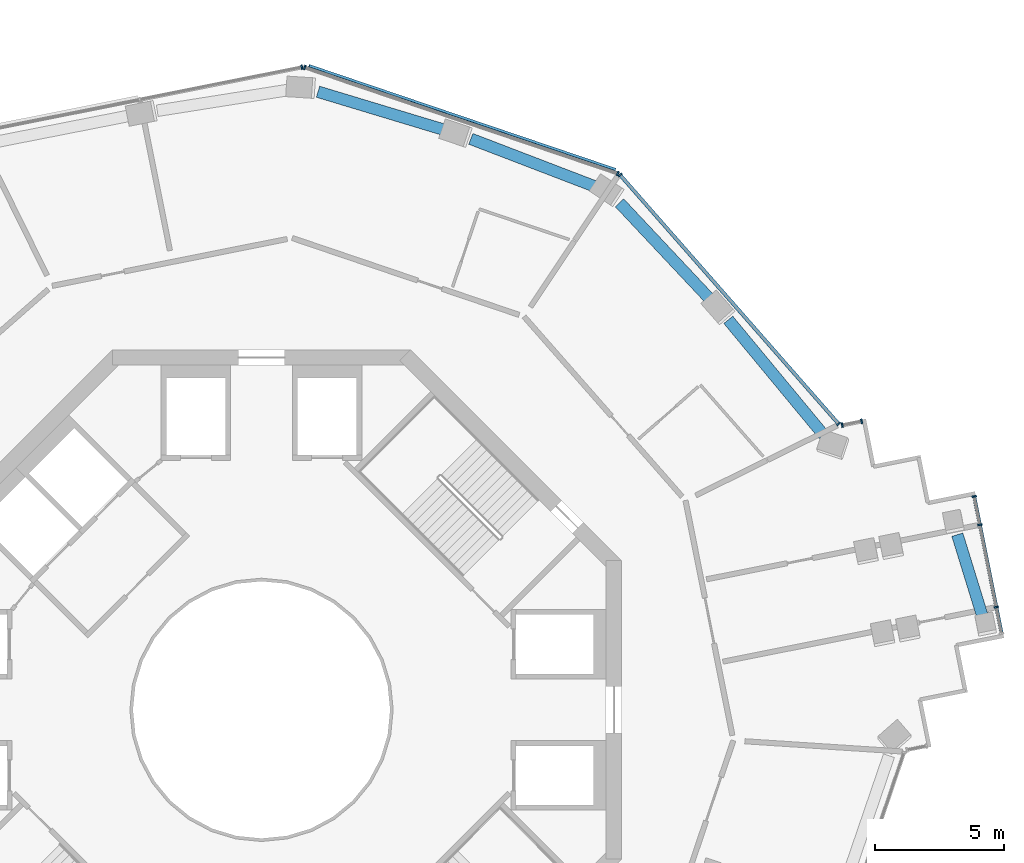
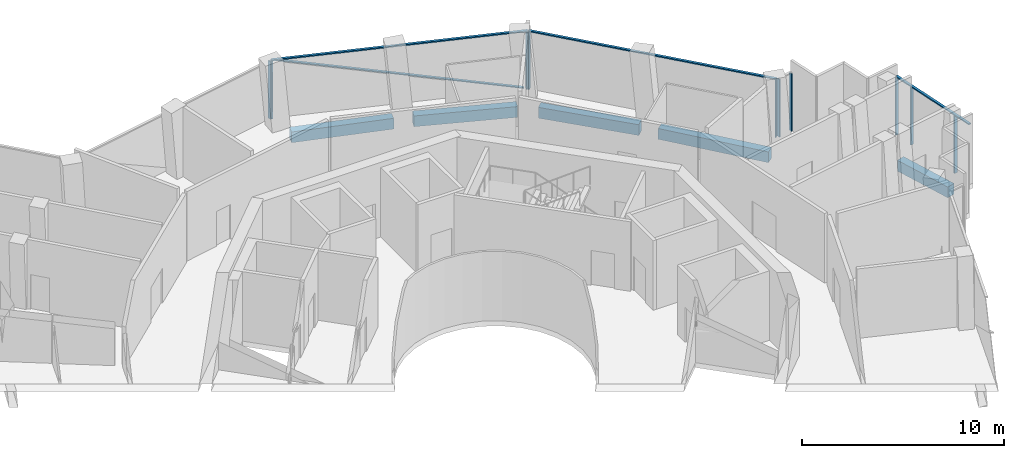
# One storey, part 6 of 17: 14 members, 5 beams, 5 elements without a shape of their own.
"""IFC4 building model written with IfcOpenShell, lengths in metres."""

from ifc_helpers import new_model, si_unit, direction, frame, origin, origin_2d, place, context, subcontext, project, spatial, rectangle, extrude, material, layer, layer_set, material_profile, profile_set, type_object, element, aggregate, save


model = new_model("IFC4")

# Units and contexts
model_context = context("Model", 3, precision=1e-05, world=origin(), true_north=direction((0.0, 1.0)))
body_context = subcontext(model_context, "Body", "Model", "MODEL_VIEW")
ifc_project = project(units=[si_unit("LENGTHUNIT", "METRE"), si_unit("AREAUNIT", "SQUARE_METRE"), si_unit("VOLUMEUNIT", "CUBIC_METRE"), si_unit("PLANEANGLEUNIT", "RADIAN"), si_unit("MASSUNIT", "GRAM", prefix="KILO")], contexts=[model_context])

# Site, building, storey
site_placement = place(None, origin())
site = spatial("IfcSite", under=ifc_project, at=site_placement, CompositionType="ELEMENT")
building_placement = place(site_placement, origin())
building = spatial("IfcBuilding", under=site, at=building_placement, Name="Verdalira Terraces Hotel", CompositionType="ELEMENT")
storey_placement = place(building_placement, frame((0.0, 0.0, 201.0)))
storey = spatial("IfcBuildingStorey", under=building, at=storey_placement, Name="L49", CompositionType="ELEMENT", Elevation=201.0)

# Curtain wall, members
ifc_material_1 = material(Name="Clear glass", Category="glass")
ifc_layer = layer(ifc_material_1, 0.179931640625)
ifc_layer_set = layer_set([ifc_layer], Name="CW4 curtain wall")
curtain_wall_type = type_object("IfcCurtainWallType", Name="CW4 curtain wall", PredefinedType="NOTDEFINED", material=ifc_layer_set)
curtain_wall_1_placement = place(storey_placement, origin())
curtain_wall_1 = element("IfcCurtainWall", 1, at=curtain_wall_1_placement, inside=storey, type_object=curtain_wall_type, Name="CW4 curtain wall L49 edge 33", PredefinedType="NOTDEFINED")
ifc_material_2 = material(Name="Terracotta frame", Category="masonry")
ifc_material_profile_1 = material_profile(ifc_material_2, rectangle(XDim=0.064941, YDim=0.179932, at=origin_2d()), Name="MU 65x180")
ifc_profile_set_1 = profile_set([ifc_material_profile_1], Name="Terracotta frame")
member_type_1 = type_object("IfcMemberType", Name="CW4 mullion 65x180", PredefinedType="MULLION", material=ifc_profile_set_1)
member_1_placement = place(storey_placement, frame((28.569092, 3.993896, 0.0), z_axis=(0.0, 0.0, 1.0), x_axis=(-0.195603833, 0.980682997, 0.0)))
member_1 = element("IfcMember", 2, at=member_1_placement, type_object=member_type_1, Name="CW4 mullion", PredefinedType="MULLION", context=body_context, shape_type="SweptSolid", body=[
    extrude(rectangle(XDim=0.064941, YDim=0.179932, at=origin_2d()), origin(), (0.0, 0.0, 1.0), 3.469971),
])
member_2_placement = place(storey_placement, frame((27.93042, 7.195312, 0.0), z_axis=(0.0, 0.0, 1.0), x_axis=(-0.195603833, 0.980682997, 0.0)))
member_2 = element("IfcMember", 3, at=member_2_placement, type_object=member_type_1, Name="CW4 mullion", PredefinedType="MULLION", context=body_context, shape_type="SweptSolid", body=[
    extrude(rectangle(XDim=0.064941, YDim=0.179932, at=origin_2d()), origin(), (0.0, 0.0, 1.0), 3.469971),
])
member_3_placement = place(storey_placement, frame((27.710449, 8.298096, 0.0), z_axis=(0.0, 0.0, 1.0), x_axis=(-0.195603833, 0.980682997, 0.0)))
member_3 = element("IfcMember", 4, at=member_3_placement, type_object=member_type_1, Name="CW4 mullion", PredefinedType="MULLION", context=body_context, shape_type="SweptSolid", body=[
    extrude(rectangle(XDim=0.064941, YDim=0.179932, at=origin_2d()), origin(), (0.0, 0.0, 1.0), 3.469971),
])

curtain_wall_2_placement = place(storey_placement, origin())
curtain_wall_2 = element("IfcCurtainWall", 5, at=curtain_wall_2_placement, inside=storey, type_object=curtain_wall_type, Name="CW4 curtain wall L49 edge 38", PredefinedType="NOTDEFINED")
member_4_placement = place(storey_placement, frame((23.331787, 11.220459, 0.0), z_axis=(0.0, 0.0, 1.0), x_axis=(-0.980682997, -0.195603833, 0.0)))
member_4 = element("IfcMember", 6, at=member_4_placement, type_object=member_type_1, Name="CW4 mullion", PredefinedType="MULLION", context=body_context, shape_type="SweptSolid", body=[
    extrude(rectangle(XDim=0.064941, YDim=0.179932, at=origin_2d()), origin(), (0.0, 0.0, 1.0), 3.469971),
])
member_5_placement = place(storey_placement, frame((22.578857, 11.070312, 0.0), z_axis=(0.0, 0.0, 1.0), x_axis=(-0.980682997, -0.195603833, 0.0)))
member_5 = element("IfcMember", 7, at=member_5_placement, type_object=member_type_1, Name="CW4 mullion", PredefinedType="MULLION", context=body_context, shape_type="SweptSolid", body=[
    extrude(rectangle(XDim=0.064941, YDim=0.179932, at=origin_2d()), origin(), (0.0, 0.0, 1.0), 3.469971),
])
aggregate(curtain_wall_2, [member_4, member_5])

curtain_wall_3_placement = place(storey_placement, origin())
curtain_wall_3 = element("IfcCurtainWall", 8, at=curtain_wall_3_placement, inside=storey, type_object=curtain_wall_type, Name="CW4 curtain wall L49 edge 39", PredefinedType="NOTDEFINED")
member_6_placement = place(storey_placement, frame((22.44043, 11.117432, 0.0), z_axis=(0.0, 0.0, 1.0), x_axis=(-0.659739387, 0.751494472, 0.0)))
member_6 = element("IfcMember", 9, at=member_6_placement, type_object=member_type_1, Name="CW4 mullion", PredefinedType="MULLION", context=body_context, shape_type="SweptSolid", body=[
    extrude(rectangle(XDim=0.064941, YDim=0.179932, at=origin_2d()), origin(), (0.0, 0.0, 1.0), 3.469971),
])
member_7_placement = place(storey_placement, frame((13.94458, 20.794678, 0.0), z_axis=(0.0, 0.0, 1.0), x_axis=(-0.659739387, 0.751494472, 0.0)))
member_7 = element("IfcMember", 10, at=member_7_placement, type_object=member_type_1, Name="CW4 mullion", PredefinedType="MULLION", context=body_context, shape_type="SweptSolid", body=[
    extrude(rectangle(XDim=0.064941, YDim=0.179932, at=origin_2d()), origin(), (0.0, 0.0, 1.0), 3.469971),
])

curtain_wall_4_placement = place(storey_placement, origin())
curtain_wall_4 = element("IfcCurtainWall", 11, at=curtain_wall_4_placement, inside=storey, type_object=curtain_wall_type, Name="CW4 curtain wall L49 edge 40", PredefinedType="NOTDEFINED")
member_8_placement = place(storey_placement, frame((13.853516, 20.855469, 0.0), z_axis=(0.0, 0.0, 1.0), x_axis=(-0.947098305, 0.32094361, 0.0)))
member_8 = element("IfcMember", 12, at=member_8_placement, type_object=member_type_1, Name="CW4 mullion", PredefinedType="MULLION", context=body_context, shape_type="SweptSolid", body=[
    extrude(rectangle(XDim=0.064941, YDim=0.179932, at=origin_2d()), origin(), (0.0, 0.0, 1.0), 3.469971),
])
member_9_placement = place(storey_placement, frame((1.678955, 24.980957, 0.0), z_axis=(0.0, 0.0, 1.0), x_axis=(-0.947098305, 0.32094361, 0.0)))
member_9 = element("IfcMember", 13, at=member_9_placement, type_object=member_type_1, Name="CW4 mullion", PredefinedType="MULLION", context=body_context, shape_type="SweptSolid", body=[
    extrude(rectangle(XDim=0.064941, YDim=0.179932, at=origin_2d()), origin(), (0.0, 0.0, 1.0), 3.469971),
])

# Curtain wall, member
curtain_wall_5_placement = place(storey_placement, origin())
curtain_wall_5 = element("IfcCurtainWall", 14, at=curtain_wall_5_placement, inside=storey, type_object=curtain_wall_type, Name="CW4 curtain wall L49 edge 41", PredefinedType="NOTDEFINED")
member_10_placement = place(storey_placement, frame((1.569824, 24.988037, 0.0), z_axis=(0.0, 0.0, 1.0), x_axis=(-0.980682997, -0.195603833, 0.0)))
member_10 = element("IfcMember", 15, at=member_10_placement, type_object=member_type_1, Name="CW4 mullion", PredefinedType="MULLION", context=body_context, shape_type="SweptSolid", body=[
    extrude(rectangle(XDim=0.064941, YDim=0.179932, at=origin_2d()), origin(), (0.0, 0.0, 1.0), 3.469971),
])
aggregate(curtain_wall_5, [member_10])

# Member
ifc_material_3 = material(Name="Terracotta frame", Category="masonry")
ifc_material_profile_2 = material_profile(ifc_material_3, rectangle(XDim=0.139893, YDim=0.070068, at=origin_2d()), Name="TR 70x140")
ifc_profile_set_2 = profile_set([ifc_material_profile_2], Name="Terracotta frame")
member_type_2 = type_object("IfcMemberType", Name="CW4 transom 70x140", PredefinedType="USERDEFINED", material=ifc_profile_set_2)
member_11_placement = place(storey_placement, frame((28.780029, 2.936279, 3.504883), z_axis=(-0.195629521, 0.980677873, 0.0), x_axis=(-0.980677873, -0.195629521, 0.0)))
member_11 = element("IfcMember", 16, at=member_11_placement, type_object=member_type_2, Name="CW4 transom", ObjectType="TRANSOM", PredefinedType="USERDEFINED", context=body_context, shape_type="SweptSolid", body=[
    extrude(rectangle(XDim=0.139893, YDim=0.070068, at=origin_2d()), origin(), (0.0, 0.0, 1.0), 5.499756),
])

aggregate(curtain_wall_1, [member_1, member_2, member_3, member_11])

member_12_placement = place(storey_placement, frame((22.46167, 11.092773, 3.504883), z_axis=(-0.659731026, 0.751501812, 0.0), x_axis=(-0.751501812, -0.659731026, 0.0)))
member_12 = element("IfcMember", 17, at=member_12_placement, type_object=member_type_2, Name="CW4 transom", ObjectType="TRANSOM", PredefinedType="USERDEFINED", context=body_context, shape_type="SweptSolid", body=[
    extrude(rectangle(XDim=0.139893, YDim=0.070068, at=origin_2d()), origin(), (0.0, 0.0, 1.0), 12.942627),
])

aggregate(curtain_wall_3, [member_6, member_7, member_12])

member_13_placement = place(storey_placement, frame((13.884277, 20.844971, 3.504883), z_axis=(-0.947097427, 0.320946202, 0.0), x_axis=(-0.320946202, -0.947097427, 0.0)))
member_13 = element("IfcMember", 18, at=member_13_placement, type_object=member_type_2, Name="CW4 transom", ObjectType="TRANSOM", PredefinedType="USERDEFINED", context=body_context, shape_type="SweptSolid", body=[
    extrude(rectangle(XDim=0.139893, YDim=0.070068, at=origin_2d()), origin(), (0.0, 0.0, 1.0), 12.919678),
])

ifc_material_4 = material(Name="Terracotta frame", Category="masonry")
ifc_material_profile_3 = material_profile(ifc_material_4, rectangle(XDim=0.149902, YDim=0.060059, at=origin_2d()), Name="GB 60x150")
ifc_profile_set_3 = profile_set([ifc_material_profile_3], Name="Terracotta frame")
member_type_3 = type_object("IfcMemberType", Name="Diagonal glazing bar 60x150", PredefinedType="USERDEFINED", material=ifc_profile_set_3)
member_14_placement = place(storey_placement, frame((13.749756, 20.98877, 0.029541), z_axis=(-0.914058288, 0.309740042, 0.261836881), x_axis=(-0.320936841, -0.947100599, 0.0)))
member_14 = element("IfcMember", 19, at=member_14_placement, type_object=member_type_3, Name="Diagonal glazing bar", ObjectType="GLAZING BAR", PredefinedType="USERDEFINED", context=body_context, shape_type="SweptSolid", body=[
    extrude(rectangle(XDim=0.149902, YDim=0.060059, at=origin_2d()), origin(), (0.0, 0.0, 1.0), 13.026855),
])

aggregate(curtain_wall_4, [member_8, member_9, member_13, member_14])

# Beams
ifc_material_5 = material(Name="Concrete C50", Category="concrete")
ifc_material_profile_4 = material_profile(ifc_material_5, rectangle(XDim=0.449951, YDim=0.649902, at=origin_2d()), Name="RC 450X650")
ifc_profile_set_4 = profile_set([ifc_material_profile_4], Name="Concrete C50")
beam_type = type_object("IfcBeamType", Name="Spandrel beam RC 450X650 C50", PredefinedType="SPANDREL", material=ifc_profile_set_4)
beam_1_placement = place(storey_placement, frame((28.056885, 3.558105, -0.63501), z_axis=(-0.29478617, 0.955563244, 0.0), x_axis=(-0.955563244, -0.29478617, 0.0)))
element("IfcBeam", 20, at=beam_1_placement, inside=storey, type_object=beam_type, Name="Spandrel beam B17", PredefinedType="SPANDREL", context=body_context, shape_type="SweptSolid", body=[
    extrude(rectangle(XDim=0.449951, YDim=0.649902, at=origin_2d()), origin(), (0.0, 0.0, 1.0), 3.404785),
])
beam_2_placement = place(storey_placement, frame((21.855469, 10.687012, -0.63501), z_axis=(-0.637727558, 0.770262009, 0.0), x_axis=(-0.770262009, -0.637727558, 0.0)))
element("IfcBeam", 21, at=beam_2_placement, inside=storey, type_object=beam_type, Name="Spandrel beam B18", PredefinedType="SPANDREL", context=body_context, shape_type="SweptSolid", body=[
    extrude(rectangle(XDim=0.449951, YDim=0.649902, at=origin_2d()), origin(), (0.0, 0.0, 1.0), 5.813721),
])
beam_3_placement = place(storey_placement, frame((17.470459, 15.932617, -0.63501), z_axis=(-0.684624718, 0.728895737, 0.0), x_axis=(-0.728895737, -0.684624718, 0.0)))
element("IfcBeam", 22, at=beam_3_placement, inside=storey, type_object=beam_type, Name="Spandrel beam B19", PredefinedType="SPANDREL", context=body_context, shape_type="SweptSolid", body=[
    extrude(rectangle(XDim=0.449951, YDim=0.649902, at=origin_2d()), origin(), (0.0, 0.0, 1.0), 5.189209),
])
beam_4_placement = place(storey_placement, frame((12.983643, 20.34082, -0.63501), z_axis=(-0.933637372, 0.358219567, 0.0), x_axis=(-0.358219567, -0.933637372, 0.0)))
element("IfcBeam", 23, at=beam_4_placement, inside=storey, type_object=beam_type, Name="Spandrel beam B20", PredefinedType="SPANDREL", context=body_context, shape_type="SweptSolid", body=[
    extrude(rectangle(XDim=0.449951, YDim=0.649902, at=origin_2d()), origin(), (0.0, 0.0, 1.0), 5.191895),
])
beam_5_placement = place(storey_placement, frame((7.163574, 22.533203, -0.63501), z_axis=(-0.957341954, 0.288957407, 0.0), x_axis=(-0.288957407, -0.957341954, 0.0)))
element("IfcBeam", 24, at=beam_5_placement, inside=storey, type_object=beam_type, Name="Spandrel beam B21", PredefinedType="SPANDREL", context=body_context, shape_type="SweptSolid", body=[
    extrude(rectangle(XDim=0.449951, YDim=0.649902, at=origin_2d()), origin(), (0.0, 0.0, 1.0), 5.189453),
])

save(model, "model.ifc")
